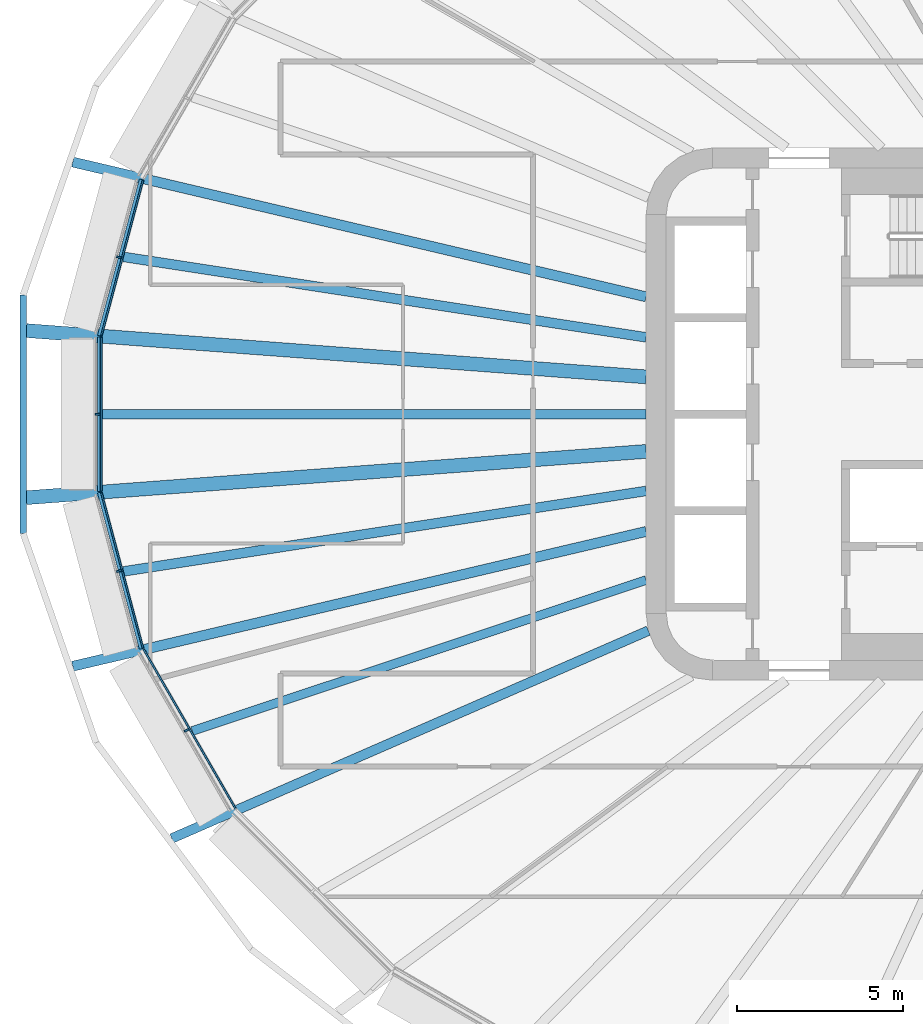
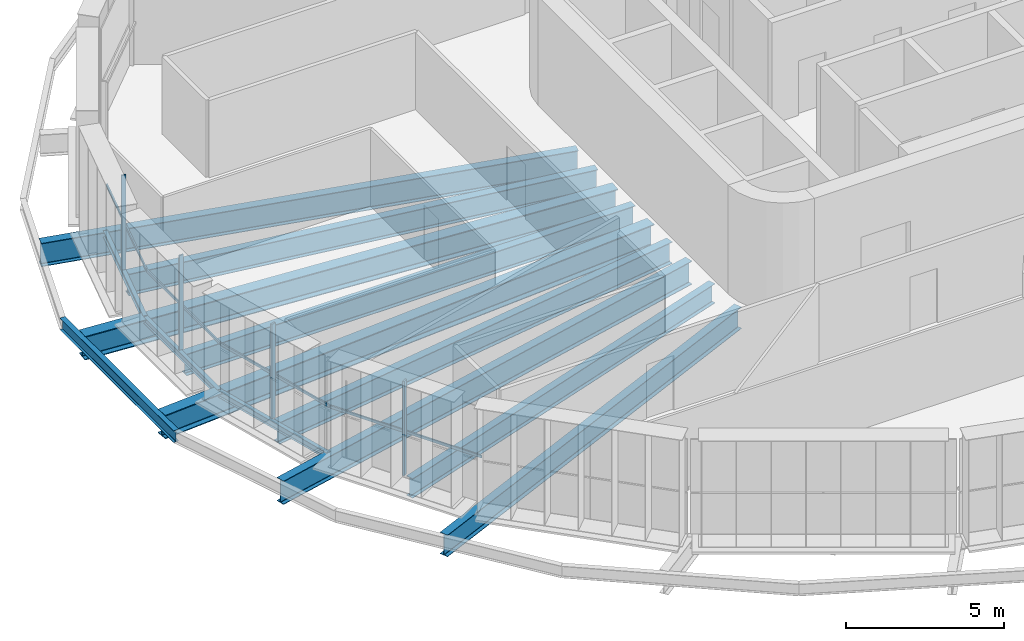
# One storey, part 3 of 25: 13 beams, 8 members, 4 elements without a shape of their own.
"""IFC4 building model written with IfcOpenShell, lengths in metres."""

from ifc_helpers import new_model, si_unit, direction, frame, origin, origin_2d, place, context, subcontext, project, spatial, rectangle, i_section, extrude, material, layer, layer_set, material_profile, profile_set, type_object, element, aggregate, save


model = new_model("IFC4")

# Units and contexts
model_context = context("Model", 3, precision=1e-05, world=origin(), true_north=direction((0.0, 1.0)))
body_context = subcontext(model_context, "Body", "Model", "MODEL_VIEW")
ifc_project = project(units=[si_unit("LENGTHUNIT", "METRE"), si_unit("AREAUNIT", "SQUARE_METRE"), si_unit("VOLUMEUNIT", "CUBIC_METRE"), si_unit("PLANEANGLEUNIT", "RADIAN"), si_unit("MASSUNIT", "GRAM", prefix="KILO")], contexts=[model_context])

# Site, building, storey
site_placement = place(None, origin())
site = spatial("IfcSite", under=ifc_project, at=site_placement, CompositionType="ELEMENT")
building_placement = place(site_placement, origin())
building = spatial("IfcBuilding", under=site, at=building_placement, Name="Sahrelin Media Tower", CompositionType="ELEMENT")
storey_placement = place(building_placement, frame((0.0, 0.0, 139.800048828125)))
storey = spatial("IfcBuildingStorey", under=building, at=storey_placement, Name="L28", CompositionType="ELEMENT", Elevation=139.800048828125)

# Beams
ifc_material_1 = material(Name="Steel S355", Category="steel")
ifc_material_profile_1 = material_profile(ifc_material_1, i_section(OverallWidth=0.14599609375, OverallDepth=0.25146484375, WebThickness=0.006103515625, FlangeThickness=0.008544921875, FilletRadius=0.007568359375, at=origin_2d()), Name="UB 254x146x31")
ifc_profile_set_1 = profile_set([ifc_material_profile_1], Name="Steel S355")
beam_type_1 = type_object("IfcBeamType", Name="Edge beam EB1", PredefinedType="BEAM", material=ifc_profile_set_1)
beam_1_placement = place(storey_placement, frame((-30.165771484375, -7.052001953125, -0.275634765625), z_axis=(-0.258796286999, 0.965931924017, 0.0), x_axis=(-0.965931924017, -0.258796286999, 0.0)))
element("IfcBeam", 1, at=beam_1_placement, inside=storey, type_object=beam_type_1, Name="Edge beam L28-12", PredefinedType="BEAM", context=body_context, shape_type="SweptSolid", body=[
    extrude(i_section(OverallWidth=0.14599609375, OverallDepth=0.25146484375, WebThickness=0.006103515625, FlangeThickness=0.008544921875, FilletRadius=0.007568359375, at=origin_2d()), origin(), (0.0, 0.0, 1.0), 4.864990234375),
])
beam_2_placement = place(storey_placement, frame((-31.4287109375, -2.32421875, -0.275634765625), z_axis=(0.0, 1.0, 0.0), x_axis=(-1.0, 0.0, 0.0)))
element("IfcBeam", 2, at=beam_2_placement, inside=storey, type_object=beam_type_1, Name="Edge beam L28-13", PredefinedType="BEAM", context=body_context, shape_type="SweptSolid", body=[
    extrude(i_section(OverallWidth=0.14599609375, OverallDepth=0.25146484375, WebThickness=0.006103515625, FlangeThickness=0.008544921875, FilletRadius=0.007568359375, at=origin_2d()), origin(), (0.0, 0.0, 1.0), 4.6484375),
])
beam_3_placement = place(storey_placement, frame((-31.4248046875, 2.352783203125, -0.275634765625), z_axis=(0.258796286999, 0.965931924017, 0.0), x_axis=(-0.965931924017, 0.258796286999, 0.0)))
element("IfcBeam", 3, at=beam_3_placement, inside=storey, type_object=beam_type_1, Name="Edge beam L28-14", PredefinedType="BEAM", context=body_context, shape_type="SweptSolid", body=[
    extrude(i_section(OverallWidth=0.14599609375, OverallDepth=0.25146484375, WebThickness=0.006103515625, FlangeThickness=0.008544921875, FilletRadius=0.007568359375, at=origin_2d()), origin(), (0.0, 0.0, 1.0), 4.864990234375),
])

# Curtain wall, member
ifc_material_2 = material(Name="Champagne anodised aluminium 6063-T6", Category="aluminium")
ifc_layer = layer(ifc_material_2, 0.14990234375)
ifc_layer_set = layer_set([ifc_layer], Name="Tower ribbon curtain wall")
curtain_wall_type = type_object("IfcCurtainWallType", Name="Tower ribbon curtain wall", PredefinedType="NOTDEFINED", material=ifc_layer_set)
curtain_wall_1_placement = place(storey_placement, frame((-30.940185546875, 4.7412109375, 0.0), z_axis=(0.0, 0.0, 1.0), x_axis=(1.0, 0.0, 0.0)))
curtain_wall_1 = element("IfcCurtainWall", 4, at=curtain_wall_1_placement, inside=storey, type_object=curtain_wall_type, Name="L28:CW:L28-11", PredefinedType="NOTDEFINED")
ifc_material_profile_2 = material_profile(ifc_material_2, rectangle(XDim=0.06005859375, YDim=0.14990234375, at=origin_2d()), Name="Mullion 60x150")
ifc_profile_set_2 = profile_set([ifc_material_profile_2], Name="Champagne anodised aluminium 6063-T6")
member_type_1 = type_object("IfcMemberType", Name="Mullion 60x150 CW1", PredefinedType="MULLION", material=ifc_profile_set_2)
member_1_placement = place(storey_placement, frame((-30.848388671875, 4.716552734375, 0.0), z_axis=(0.0, 0.0, 1.0), x_axis=(-0.258827474386, -0.96592356763, 0.0)))
member_1 = element("IfcMember", 5, at=member_1_placement, type_object=member_type_1, Name="L28:CWM:L28-11", PredefinedType="MULLION", context=body_context, shape_type="SweptSolid", body=[
    extrude(rectangle(XDim=0.06005859375, YDim=0.14990234375, at=origin_2d()), origin(), (0.0, 0.0, 1.0), 3.6484375),
])

curtain_wall_2_placement = place(storey_placement, frame((-31.57861328125, 0.0, 0.0), z_axis=(0.0, 0.0, 1.0), x_axis=(1.0, 0.0, 0.0)))
curtain_wall_2 = element("IfcCurtainWall", 6, at=curtain_wall_2_placement, inside=storey, type_object=curtain_wall_type, Name="L28:CW:L28-12", PredefinedType="NOTDEFINED")
member_2_placement = place(storey_placement, frame((-31.483642578125, 0.0, 0.0), z_axis=(0.0, 0.0, 1.0), x_axis=(0.0, -1.0, 0.0)))
member_2 = element("IfcMember", 7, at=member_2_placement, type_object=member_type_1, Name="L28:CWM:L28-12", PredefinedType="MULLION", context=body_context, shape_type="SweptSolid", body=[
    extrude(rectangle(XDim=0.06005859375, YDim=0.14990234375, at=origin_2d()), origin(), (0.0, 0.0, 1.0), 3.6484375),
])

curtain_wall_3_placement = place(storey_placement, frame((-30.940185546875, -4.7412109375, 0.0), z_axis=(0.0, 0.0, 1.0), x_axis=(1.0, 0.0, 0.0)))
curtain_wall_3 = element("IfcCurtainWall", 8, at=curtain_wall_3_placement, inside=storey, type_object=curtain_wall_type, Name="L28:CW:L28-13", PredefinedType="NOTDEFINED")
member_3_placement = place(storey_placement, frame((-30.848388671875, -4.716552734375, 0.0), z_axis=(0.0, 0.0, 1.0), x_axis=(0.258827474386, -0.96592356763, 0.0)))
member_3 = element("IfcMember", 9, at=member_3_placement, type_object=member_type_1, Name="L28:CWM:L28-13", PredefinedType="MULLION", context=body_context, shape_type="SweptSolid", body=[
    extrude(rectangle(XDim=0.06005859375, YDim=0.14990234375, at=origin_2d()), origin(), (0.0, 0.0, 1.0), 3.6484375),
])

curtain_wall_4_placement = place(storey_placement, frame((-28.8984375, -9.5546875, 0.0), z_axis=(0.0, 0.0, 1.0), x_axis=(1.0, 0.0, 0.0)))
curtain_wall_4 = element("IfcCurtainWall", 10, at=curtain_wall_4_placement, inside=storey, type_object=curtain_wall_type, Name="L28:CW:L28-14", PredefinedType="NOTDEFINED")
member_4_placement = place(storey_placement, frame((-28.816162109375, -9.507080078125, 0.0), z_axis=(0.0, 0.0, 1.0), x_axis=(0.49999395399, -0.866028894422, 0.0)))
member_4 = element("IfcMember", 11, at=member_4_placement, type_object=member_type_1, Name="L28:CWM:L28-14", PredefinedType="MULLION", context=body_context, shape_type="SweptSolid", body=[
    extrude(rectangle(XDim=0.06005859375, YDim=0.14990234375, at=origin_2d()), origin(), (0.0, 0.0, 1.0), 3.6484375),
])

# Beams
ifc_material_profile_3 = material_profile(ifc_material_1, i_section(OverallWidth=0.291748046875, OverallDepth=0.8349609375, WebThickness=0.013916015625, FlangeThickness=0.018798828125, FilletRadius=0.017822265625, at=origin_2d()), Name="UB 838x292x176")
ifc_profile_set_3 = profile_set([ifc_material_profile_3], Name="Steel S355")
beam_type_2 = type_object("IfcBeamType", Name="Radial primary beam PB10", PredefinedType="BEAM", material=ifc_profile_set_3)
beam_4_placement = place(storey_placement, frame((-14.93310546875, -6.509521484375, -0.5673828125), z_axis=(-0.916689949719, -0.399599219324, 0.0), x_axis=(0.399599219324, -0.916689949719, 0.0)))
element("IfcBeam", 12, at=beam_4_placement, inside=storey, type_object=beam_type_2, Name="Radial beam L28-15", PredefinedType="BEAM", context=body_context, shape_type="SweptSolid", body=[
    extrude(i_section(OverallWidth=0.291748046875, OverallDepth=0.8349609375, WebThickness=0.013916015625, FlangeThickness=0.018798828125, FilletRadius=0.017822265625, at=origin_2d()), origin(), (0.0, 0.0, 1.0), 15.63037109375),
])
ifc_material_profile_4 = material_profile(ifc_material_1, i_section(OverallWidth=0.30322265625, OverallDepth=0.903076171875, WebThickness=0.01513671875, FlangeThickness=0.020263671875, FilletRadius=0.01904296875, at=origin_2d()), Name="UB 914x305x201")
ifc_profile_set_4 = profile_set([ifc_material_profile_4], Name="Steel S355")
beam_type_3 = type_object("IfcBeamType", Name="Radial primary beam PB11", PredefinedType="BEAM", material=ifc_profile_set_4)
for number, where, z_axis, x_axis, name in (
    (13, (-15.0, 3.5263671875, -0.6015625), (-0.973461266293, 0.228851836406, 0.0), (-0.228851836406, -0.973461266293, 0.0), "Radial beam L28-11"),
    (14, (-15.0, -3.5263671875, -0.6015625), (-0.973461266293, -0.228851836406, 0.0), (0.228851836406, -0.973461266293, 0.0), "Radial beam L28-14"),
):
    element("IfcBeam", number, at=place(storey_placement, frame(where, z_axis=z_axis, x_axis=x_axis)), inside=storey, type_object=beam_type_3, Name=name, PredefinedType="BEAM", context=body_context, shape_type="SweptSolid", body=[
        extrude(i_section(OverallWidth=0.30322265625, OverallDepth=0.903076171875, WebThickness=0.01513671875, FlangeThickness=0.020263671875, FilletRadius=0.01904296875, at=origin_2d()), origin(), (0.0, 0.0, 1.0), 17.708984375),
    ])
ifc_material_profile_5 = material_profile(ifc_material_1, i_section(OverallWidth=0.41845703125, OverallDepth=0.911865234375, WebThickness=0.019287109375, FlangeThickness=0.031982421875, FilletRadius=0.024169921875, at=origin_2d()), Name="UB 914x419x343")
ifc_profile_set_5 = profile_set([ifc_material_profile_5], Name="Steel S355")
beam_type_4 = type_object("IfcBeamType", Name="Radial primary beam PB12", PredefinedType="BEAM", material=ifc_profile_set_5)
for number, where, z_axis, x_axis, name in (
    (15, (-15.0, 1.120361328125, -0.60595703125), (-0.997222258381, 0.074483336325, 0.0), (-0.074483336325, -0.997222258381, 0.0), "Radial beam L28-12"),
    (16, (-15.0, -1.120361328125, -0.60595703125), (-0.997222258381, -0.074483336325, 0.0), (0.074483336325, -0.997222258381, 0.0), "Radial beam L28-13"),
):
    element("IfcBeam", number, at=place(storey_placement, frame(where, z_axis=z_axis, x_axis=x_axis)), inside=storey, type_object=beam_type_4, Name=name, PredefinedType="BEAM", context=body_context, shape_type="SweptSolid", body=[
        extrude(i_section(OverallWidth=0.41845703125, OverallDepth=0.911865234375, WebThickness=0.019287109375, FlangeThickness=0.031982421875, FilletRadius=0.024169921875, at=origin_2d()), origin(), (0.0, 0.0, 1.0), 18.686767578125),
    ])
ifc_material_profile_6 = material_profile(ifc_material_1, i_section(OverallWidth=0.291748046875, OverallDepth=0.8349609375, WebThickness=0.013916015625, FlangeThickness=0.018798828125, FilletRadius=0.017822265625, at=origin_2d()), Name="UB 838x292x176")
ifc_profile_set_6 = profile_set([ifc_material_profile_6], Name="Steel S355")
beam_type_5 = type_object("IfcBeamType", Name="Radial secondary beam SB10", PredefinedType="BEAM", material=ifc_profile_set_6)
beam_5_placement = place(storey_placement, frame((-15.0, 2.308837890625, -0.5673828125), z_axis=(-0.988359089309, 0.152139115876, 0.0), x_axis=(-0.152139115876, -0.988359089309, 0.0)))
element("IfcBeam", 17, at=beam_5_placement, inside=storey, type_object=beam_type_5, Name="Secondary beam L28-11", PredefinedType="BEAM", context=body_context, shape_type="SweptSolid", body=[
    extrude(i_section(OverallWidth=0.291748046875, OverallDepth=0.8349609375, WebThickness=0.013916015625, FlangeThickness=0.018798828125, FilletRadius=0.017822265625, at=origin_2d()), origin(), (0.0, 0.0, 1.0), 15.89794921875),
])
beam_6_placement = place(storey_placement, frame((-15.0, 0.0, -0.5673828125), z_axis=(-1.0, 0.0, 0.0), x_axis=(0.0, -1.0, 0.0)))
element("IfcBeam", 18, at=beam_6_placement, inside=storey, type_object=beam_type_5, Name="Secondary beam L28-12", PredefinedType="BEAM", context=body_context, shape_type="SweptSolid", body=[
    extrude(i_section(OverallWidth=0.291748046875, OverallDepth=0.8349609375, WebThickness=0.013916015625, FlangeThickness=0.018798828125, FilletRadius=0.017822265625, at=origin_2d()), origin(), (0.0, 0.0, 1.0), 16.355712890625),
])
beam_7_placement = place(storey_placement, frame((-15.0, -2.308837890625, -0.5673828125), z_axis=(-0.988359089309, -0.152139115876, 0.0), x_axis=(0.152139115876, -0.988359089309, 0.0)))
element("IfcBeam", 19, at=beam_7_placement, inside=storey, type_object=beam_type_5, Name="Secondary beam L28-13", PredefinedType="BEAM", context=body_context, shape_type="SweptSolid", body=[
    extrude(i_section(OverallWidth=0.291748046875, OverallDepth=0.8349609375, WebThickness=0.013916015625, FlangeThickness=0.018798828125, FilletRadius=0.017822265625, at=origin_2d()), origin(), (0.0, 0.0, 1.0), 15.89794921875),
])
ifc_material_profile_7 = material_profile(ifc_material_1, i_section(OverallWidth=0.26513671875, OverallDepth=0.75390625, WebThickness=0.0126953125, FlangeThickness=0.017578125, FilletRadius=0.0166015625, at=origin_2d()), Name="UB 762x267x147")
ifc_profile_set_7 = profile_set([ifc_material_profile_7], Name="Steel S355")
beam_type_6 = type_object("IfcBeamType", Name="Radial secondary beam SB9", PredefinedType="BEAM", material=ifc_profile_set_7)
beam_8_placement = place(storey_placement, frame((-15.0, -4.9873046875, -0.527099609375), z_axis=(-0.948922383089, -0.315509605039, 0.0), x_axis=(0.315509605039, -0.948922383089, 0.0)))
element("IfcBeam", 20, at=beam_8_placement, inside=storey, type_object=beam_type_6, Name="Secondary beam L28-14", PredefinedType="BEAM", context=body_context, shape_type="SweptSolid", body=[
    extrude(i_section(OverallWidth=0.26513671875, OverallDepth=0.75390625, WebThickness=0.0126953125, FlangeThickness=0.017578125, FilletRadius=0.0166015625, at=origin_2d()), origin(), (0.0, 0.0, 1.0), 14.3818359375),
])
ifc_material_profile_8 = material_profile(ifc_material_1, i_section(OverallWidth=0.1904296875, OverallDepth=0.45703125, WebThickness=0.009033203125, FlangeThickness=0.014404296875, FilletRadius=0.01025390625, at=origin_2d()), Name="UB 457x191x74")
ifc_profile_set_8 = profile_set([ifc_material_profile_8], Name="Steel S355")
beam_type_7 = type_object("IfcBeamType", Name="Tie chord TC5", PredefinedType="BEAM", material=ifc_profile_set_8)
beam_9_placement = place(storey_placement, frame((-33.72998046875, 3.5859375, -0.378662109375), z_axis=(0.0, -1.0, 0.0), x_axis=(1.0, 0.0, 0.0)))
element("IfcBeam", 21, at=beam_9_placement, inside=storey, type_object=beam_type_7, Name="Tie chord L28-12", PredefinedType="BEAM", context=body_context, shape_type="SweptSolid", body=[
    extrude(i_section(OverallWidth=0.1904296875, OverallDepth=0.45703125, WebThickness=0.009033203125, FlangeThickness=0.014404296875, FilletRadius=0.01025390625, at=origin_2d()), origin(), (0.0, 0.0, 1.0), 7.171875),
])

# Member
ifc_material_profile_9 = material_profile(ifc_material_2, rectangle(XDim=0.050048828125, YDim=0.10009765625, at=origin_2d()), Name="Transom 50x100")
ifc_profile_set_9 = profile_set([ifc_material_profile_9], Name="Champagne anodised aluminium 6063-T6")
member_type_2 = type_object("IfcMemberType", Name="Transom 50x100 CW1", PredefinedType="USERDEFINED", material=ifc_profile_set_9)
member_5_placement = place(storey_placement, frame((-30.12646484375, 7.02490234375, 1.599853515625), z_axis=(-0.258819402949, -0.965925730404, 0.0), x_axis=(0.965925730404, -0.258819402949, 0.0)))
member_5 = element("IfcMember", 22, at=member_5_placement, type_object=member_type_2, Name="L28:CWT:L28-11", ObjectType="TRANSOM", PredefinedType="USERDEFINED", context=body_context, shape_type="SweptSolid", body=[
    extrude(rectangle(XDim=0.050048828125, YDim=0.10009765625, at=origin_2d()), origin(), (0.0, 0.0, 1.0), 4.83349609375),
])

aggregate(curtain_wall_1, [member_1, member_5])

member_6_placement = place(storey_placement, frame((-31.3837890625, 2.30859375, 1.599853515625), z_axis=(0.0, -1.0, 0.0), x_axis=(1.0, 0.0, 0.0)))
member_6 = element("IfcMember", 23, at=member_6_placement, type_object=member_type_2, Name="L28:CWT:L28-12", ObjectType="TRANSOM", PredefinedType="USERDEFINED", context=body_context, shape_type="SweptSolid", body=[
    extrude(rectangle(XDim=0.050048828125, YDim=0.10009765625, at=origin_2d()), origin(), (0.0, 0.0, 1.0), 4.6171875),
])

aggregate(curtain_wall_2, [member_2, member_6])

member_7_placement = place(storey_placement, frame((-31.37744140625, -2.356201171875, 1.599853515625), z_axis=(0.258819402949, -0.965925730404, 0.0), x_axis=(0.965925730404, 0.258819402949, 0.0)))
member_7 = element("IfcMember", 24, at=member_7_placement, type_object=member_type_2, Name="L28:CWT:L28-13", ObjectType="TRANSOM", PredefinedType="USERDEFINED", context=body_context, shape_type="SweptSolid", body=[
    extrude(rectangle(XDim=0.050048828125, YDim=0.10009765625, at=origin_2d()), origin(), (0.0, 0.0, 1.0), 4.83349609375),
])

aggregate(curtain_wall_3, [member_3, member_7])

member_8_placement = place(storey_placement, frame((-30.10791015625, -7.069580078125, 1.599853515625), z_axis=(0.500006091826, -0.866021886639, 0.0), x_axis=(0.866021886639, 0.500006091826, 0.0)))
member_8 = element("IfcMember", 25, at=member_8_placement, type_object=member_type_2, Name="L28:CWT:L28-14", ObjectType="TRANSOM", PredefinedType="USERDEFINED", context=body_context, shape_type="SweptSolid", body=[
    extrude(rectangle(XDim=0.050048828125, YDim=0.10009765625, at=origin_2d()), origin(), (0.0, 0.0, 1.0), 5.513671875),
])

aggregate(curtain_wall_4, [member_4, member_8])

save(model, "model.ifc")
